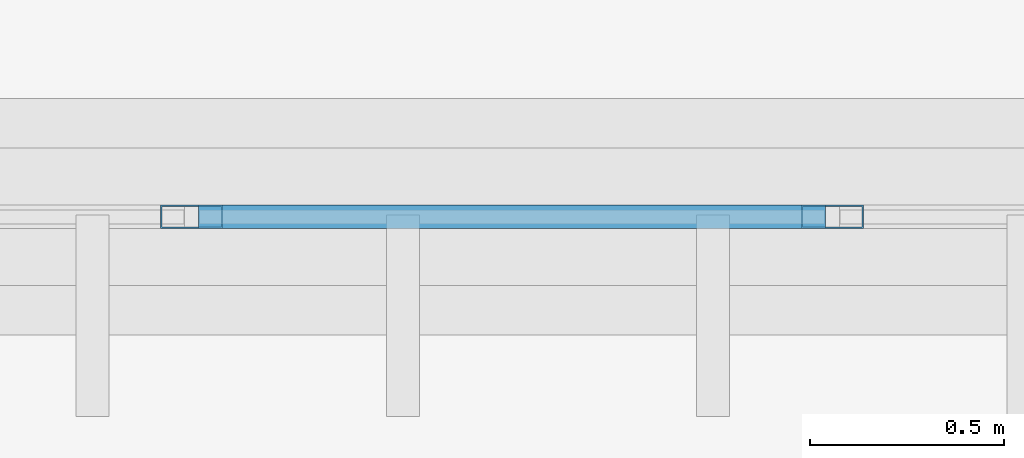
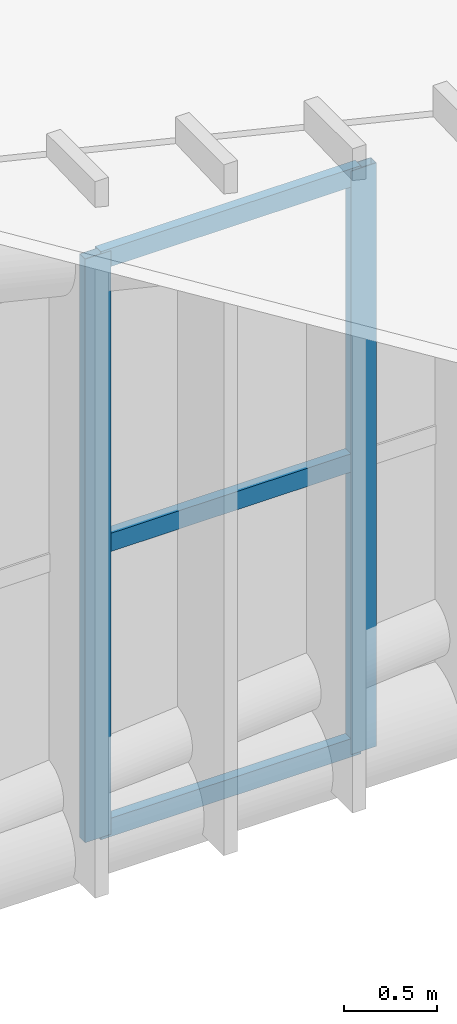
# One storey, part 111 of 397: 5 members, 1 element without a shape of its own.
"""IFC4 building model written with IfcOpenShell, lengths in metres."""

from ifc_helpers import new_model, si_unit, direction, frame, origin, origin_2d, place, context, subcontext, project, spatial, hollow_rectangle, extrude, material, material_profile, profile_set, type_object, element, aggregate, save


model = new_model("IFC4")

# Units and contexts
model_context = context("Model", 3, precision=1e-05, world=origin(), true_north=direction((0.0, 1.0)))
body_context = subcontext(model_context, "Body", "Model", "MODEL_VIEW")
ifc_project = project(units=[si_unit("LENGTHUNIT", "METRE"), si_unit("AREAUNIT", "SQUARE_METRE"), si_unit("VOLUMEUNIT", "CUBIC_METRE"), si_unit("PLANEANGLEUNIT", "RADIAN"), si_unit("MASSUNIT", "GRAM", prefix="KILO")], contexts=[model_context])

# Site, building, storey
site_placement = place(None, origin())
site = spatial("IfcSite", under=ifc_project, at=site_placement, CompositionType="ELEMENT")
building_placement = place(site_placement, origin())
building = spatial("IfcBuilding", under=site, at=building_placement, Name="Qandorah Velis Arena", CompositionType="ELEMENT")
storey_placement = place(building_placement, frame((0.0, 0.0, 27.5)))
storey = spatial("IfcBuildingStorey", under=building, at=storey_placement, Name="RF", CompositionType="ELEMENT", Elevation=27.5)

# Curtain wall, members
ifc_material_1 = material(Name="Solar-control low-E double glazing", Category="glass")
curtain_wall_type = type_object("IfcCurtainWallType", Name="ARC-CW-SYS23", PredefinedType="USERDEFINED", material=ifc_material_1)
curtain_wall_placement = place(storey_placement, origin())
curtain_wall = element("IfcCurtainWall", 1, at=curtain_wall_placement, inside=storey, type_object=curtain_wall_type, Name="Unitised curtain wall CROWN-3-07S1", ObjectType="UNITISED CURTAIN WALL", PredefinedType="USERDEFINED")
ifc_material_2 = material(Name="Champagne-bronze anodized aluminium 6063-T6", Category="aluminium")
ifc_material_profile_1 = material_profile(ifc_material_2, hollow_rectangle(XDim=0.06005859375, YDim=0.159912109375, WallThickness=0.00341796875, at=origin_2d()), Name="ALU MULLION 60x160")
ifc_profile_set_1 = profile_set([ifc_material_profile_1], Name="Champagne-bronze anodized aluminium 6063-T6")
member_type_1 = type_object("IfcMemberType", Name="ARC-CWM-160", PredefinedType="MULLION", material=ifc_profile_set_1)
member_1_placement = place(storey_placement, frame((104.655029296875, 14.39990234375, -0.014892578125), z_axis=(0.0, 0.0, 1.0), x_axis=(0.0, 1.0, 0.0)))
member_1 = element("IfcMember", 2, at=member_1_placement, type_object=member_type_1, Name="CW23 mullion 3", PredefinedType="MULLION", context=body_context, shape_type="SweptSolid", body=[
    extrude(hollow_rectangle(XDim=0.06005859375, YDim=0.159912109375, WallThickness=0.00341796875, at=origin_2d()), origin(), (0.0, 0.0, 1.0), 3.83447265625),
])
member_2_placement = place(storey_placement, frame((106.3076171875, 14.39990234375, -0.014892578125), z_axis=(0.0, 0.0, 1.0), x_axis=(0.0, 1.0, 0.0)))
member_2 = element("IfcMember", 3, at=member_2_placement, type_object=member_type_1, Name="CW23 mullion 4", PredefinedType="MULLION", context=body_context, shape_type="SweptSolid", body=[
    extrude(hollow_rectangle(XDim=0.06005859375, YDim=0.159912109375, WallThickness=0.00341796875, at=origin_2d()), origin(), (0.0, 0.0, 1.0), 3.83447265625),
])
ifc_material_profile_2 = material_profile(ifc_material_2, hollow_rectangle(XDim=0.06005859375, YDim=0.1201171875, WallThickness=0.0029296875, at=origin_2d()), Name="ALU TRANSOM 60x120")
ifc_profile_set_2 = profile_set([ifc_material_profile_2], Name="Champagne-bronze anodized aluminium 6063-T6")
member_type_2 = type_object("IfcMemberType", Name="ARC-CWT-120", PredefinedType="USERDEFINED", material=ifc_profile_set_2)
member_3_placement = place(storey_placement, frame((104.673095703125, 14.39990234375, 0.030029296875), z_axis=(1.0, 0.0, 0.0), x_axis=(0.0, 1.0, 0.0)))
member_3 = element("IfcMember", 4, at=member_3_placement, type_object=member_type_2, Name="CW23 transom 3.1", ObjectType="TRANSOM", PredefinedType="USERDEFINED", context=body_context, shape_type="SweptSolid", body=[
    extrude(hollow_rectangle(XDim=0.06005859375, YDim=0.1201171875, WallThickness=0.0029296875, at=origin_2d()), origin(), (0.0, 0.0, 1.0), 1.616455078125),
])
member_4_placement = place(storey_placement, frame((104.673095703125, 14.39990234375, 1.90234375), z_axis=(1.0, 0.0, 0.0), x_axis=(0.0, 1.0, 0.0)))
member_4 = element("IfcMember", 5, at=member_4_placement, type_object=member_type_2, Name="CW23 transom 3.2", ObjectType="TRANSOM", PredefinedType="USERDEFINED", context=body_context, shape_type="SweptSolid", body=[
    extrude(hollow_rectangle(XDim=0.06005859375, YDim=0.1201171875, WallThickness=0.0029296875, at=origin_2d()), origin(), (0.0, 0.0, 1.0), 1.616455078125),
])
member_5_placement = place(storey_placement, frame((104.673095703125, 14.39990234375, 3.774658203125), z_axis=(1.0, 0.0, 0.0), x_axis=(0.0, 1.0, 0.0)))
member_5 = element("IfcMember", 6, at=member_5_placement, type_object=member_type_2, Name="CW23 transom 3.3", ObjectType="TRANSOM", PredefinedType="USERDEFINED", context=body_context, shape_type="SweptSolid", body=[
    extrude(hollow_rectangle(XDim=0.06005859375, YDim=0.1201171875, WallThickness=0.0029296875, at=origin_2d()), origin(), (0.0, 0.0, 1.0), 1.616455078125),
])
aggregate(curtain_wall, [member_1, member_2, member_3, member_4, member_5])

save(model, "model.ifc")
